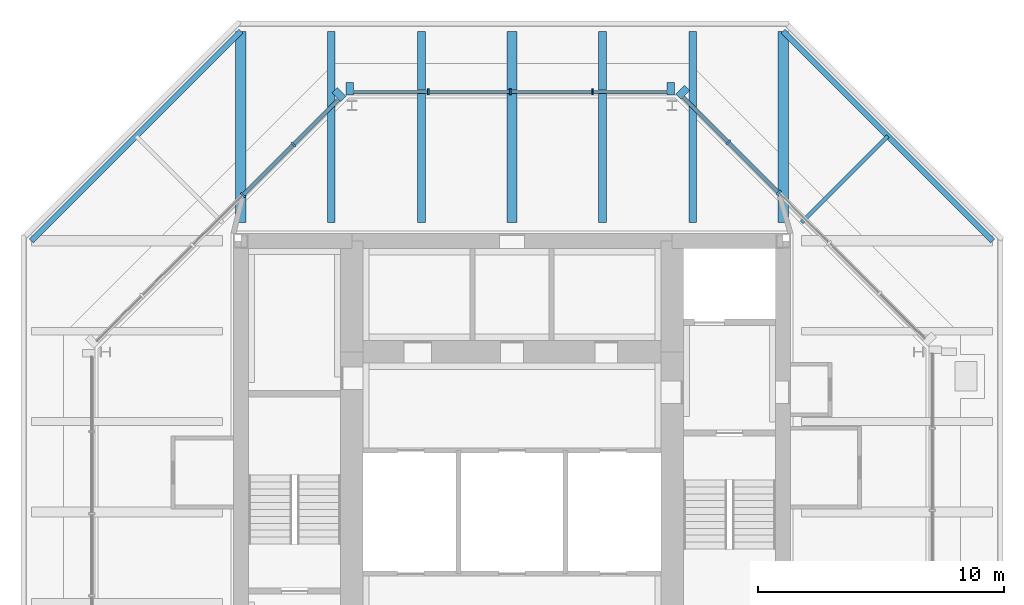
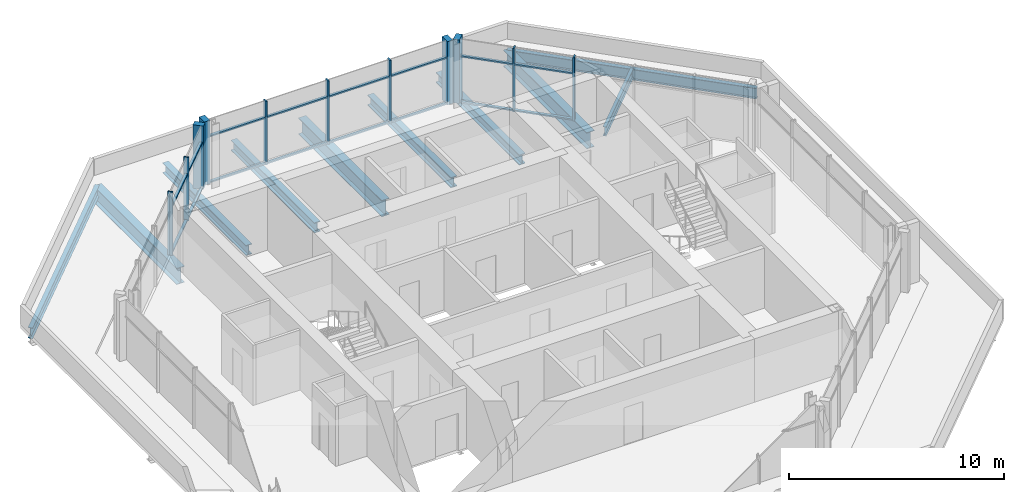
# One storey, part 5 of 10: 27 members, 10 beams, 3 elements without a shape of their own.
"""IFC4 building model written with IfcOpenShell, lengths in metres."""

from ifc_helpers import new_model, si_unit, direction, frame, origin, origin_2d, place, context, subcontext, project, spatial, rectangle, i_section, extrude, material, material_profile, profile_set, type_object, element, aggregate, save


model = new_model("IFC4")

# Units and contexts
model_context = context("Model", 3, precision=1e-05, world=origin(), true_north=direction((0.0, 1.0)))
body_context = subcontext(model_context, "Body", "Model", "MODEL_VIEW")
ifc_project = project(units=[si_unit("LENGTHUNIT", "METRE"), si_unit("AREAUNIT", "SQUARE_METRE"), si_unit("VOLUMEUNIT", "CUBIC_METRE"), si_unit("PLANEANGLEUNIT", "RADIAN"), si_unit("MASSUNIT", "GRAM", prefix="KILO")], contexts=[model_context])

# Site, building, storey
site_placement = place(None, origin())
site = spatial("IfcSite", under=ifc_project, at=site_placement, CompositionType="ELEMENT")
building_placement = place(site_placement, origin())
building = spatial("IfcBuilding", under=site, at=building_placement, Name="Trevanion Tower", CompositionType="ELEMENT")
storey_placement = place(building_placement, frame((0.0, 0.0, 263.199951171875)))
storey = spatial("IfcBuildingStorey", under=building, at=storey_placement, Name="L64", CompositionType="ELEMENT", Elevation=263.199951171875)

# Beams
ifc_material_1 = material(Name="Steel ASTM A992 Grade 50", Category="steel")
ifc_material_profile_1 = material_profile(ifc_material_1, i_section(OverallWidth=0.320068359375, OverallDepth=0.584228515625, WebThickness=0.023193359375, FlangeThickness=0.04150390625, at=origin_2d()), Name="W21X201")
ifc_profile_set_1 = profile_set([ifc_material_profile_1], Name="Steel ASTM A992 Grade 50")
beam_type_1 = type_object("IfcBeamType", Name="B13 W21X201", PredefinedType="BEAM", material=ifc_profile_set_1)
for number, where, z_axis, x_axis, name in (
    (1, (7.333251953125, 11.75, -0.48193359375), (0.0, 1.0, 0.0), (-1.0, 0.0, 0.0), "B13 L64"),
    (2, (3.666748046875, 11.75, -0.48193359375), (0.0, 1.0, 0.0), (-1.0, 0.0, 0.0), "B13 L64"),
    (3, (-3.666748046875, 11.75, -0.48193359375), (0.0, 1.0, 0.0), (-1.0, 0.0, 0.0), "B13 L64"),
    (4, (-7.333251953125, 11.75, -0.48193359375), (0.0, 1.0, 0.0), (-1.0, 0.0, 0.0), "B13 L64"),
):
    element("IfcBeam", number, at=place(storey_placement, frame(where, z_axis=z_axis, x_axis=x_axis)), inside=storey, type_object=beam_type_1, Name=name, PredefinedType="BEAM", context=body_context, shape_type="SweptSolid", body=[
        extrude(i_section(OverallWidth=0.320068359375, OverallDepth=0.584228515625, WebThickness=0.023193359375, FlangeThickness=0.04150390625, at=origin_2d()), origin(), (0.0, 0.0, 1.0), 7.75),
    ])
ifc_material_2 = material(Name="Steel ASTM A992 Grade 50", Category="steel")
ifc_material_profile_2 = material_profile(ifc_material_2, i_section(OverallWidth=0.1650390625, OverallDepth=0.52587890625, WebThickness=0.0087890625, FlangeThickness=0.011474609375, at=origin_2d()), Name="W21X44")
ifc_profile_set_2 = profile_set([ifc_material_profile_2], Name="Steel ASTM A992 Grade 50")
beam_type_2 = type_object("IfcBeamType", Name="B14 W21X44", PredefinedType="BEAM", material=ifc_profile_set_2)
beam_placement = place(storey_placement, frame((11.75, 11.75, -0.452880859375), z_axis=(0.707106781187, 0.707106781187, 0.0), x_axis=(-0.707106781187, 0.707106781187, 0.0)))
element("IfcBeam", 5, at=beam_placement, inside=storey, type_object=beam_type_2, Name="B14 L64", PredefinedType="BEAM", context=body_context, shape_type="SweptSolid", body=[
    extrude(i_section(OverallWidth=0.1650390625, OverallDepth=0.52587890625, WebThickness=0.0087890625, FlangeThickness=0.011474609375, at=origin_2d()), origin(), (0.0, 0.0, 1.0), 4.94970703125),
])

# Curtain wall, members
ifc_material_3 = material(Name="Aluminium and glass", Category="aluminium")
curtain_wall_type = type_object("IfcCurtainWallType", Name="CW4 curtain wall", PredefinedType="USERDEFINED", material=ifc_material_3)
curtain_wall_1_placement = place(storey_placement, origin())
curtain_wall_1 = element("IfcCurtainWall", 6, at=curtain_wall_1_placement, inside=storey, type_object=curtain_wall_type, Name="CW4 L64 1", ObjectType="UNITISED CURTAIN WALL", PredefinedType="USERDEFINED")
ifc_material_4 = material(Name="Aluminium extrusion, anodised bronze", Category="aluminium")
ifc_material_profile_3 = material_profile(ifc_material_4, rectangle(XDim=0.074951171875, YDim=0.25, at=origin_2d()), Name="CW4 mullion")
ifc_profile_set_3 = profile_set([ifc_material_profile_3], Name="Aluminium extrusion, anodised bronze")
member_type_1 = type_object("IfcMemberType", Name="CW4 mullion", PredefinedType="MULLION", material=ifc_profile_set_3)
member_1_placement = place(storey_placement, frame((10.81982421875, 12.9580078125, -0.18994140625), z_axis=(0.0, 0.0, 1.0), x_axis=(-0.707106781187, 0.707106781187, 0.0)))
member_1 = element("IfcMember", 7, at=member_1_placement, type_object=member_type_1, Name="CW4 mullion 4", PredefinedType="MULLION", context=body_context, shape_type="SweptSolid", body=[
    extrude(rectangle(XDim=0.074951171875, YDim=0.25, at=origin_2d()), origin(), (0.0, 0.0, 1.0), 3.60009765625),
])
member_2_placement = place(storey_placement, frame((8.77392578125, 15.00390625, -0.18994140625), z_axis=(0.0, 0.0, 1.0), x_axis=(-0.707106781187, 0.707106781187, 0.0)))
member_2 = element("IfcMember", 8, at=member_2_placement, type_object=member_type_1, Name="CW4 mullion 5", PredefinedType="MULLION", context=body_context, shape_type="SweptSolid", body=[
    extrude(rectangle(XDim=0.074951171875, YDim=0.25, at=origin_2d()), origin(), (0.0, 0.0, 1.0), 3.60009765625),
])

curtain_wall_2_placement = place(storey_placement, origin())
curtain_wall_2 = element("IfcCurtainWall", 9, at=curtain_wall_2_placement, inside=storey, type_object=curtain_wall_type, Name="CW4 L64 2", ObjectType="UNITISED CURTAIN WALL", PredefinedType="USERDEFINED")
member_3_placement = place(storey_placement, frame((3.266357421875, 17.050048828125, -0.18994140625), z_axis=(0.0, 0.0, 1.0), x_axis=(-1.0, 0.0, 0.0)))
member_3 = element("IfcMember", 10, at=member_3_placement, type_object=member_type_1, Name="CW4 mullion 2", PredefinedType="MULLION", context=body_context, shape_type="SweptSolid", body=[
    extrude(rectangle(XDim=0.074951171875, YDim=0.25, at=origin_2d()), origin(), (0.0, 0.0, 1.0), 3.60009765625),
])
member_4_placement = place(storey_placement, frame((-0.06494140625, 17.050048828125, -0.18994140625), z_axis=(0.0, 0.0, 1.0), x_axis=(-1.0, 0.0, 0.0)))
member_4 = element("IfcMember", 11, at=member_4_placement, type_object=member_type_1, Name="CW4 mullion 3", PredefinedType="MULLION", context=body_context, shape_type="SweptSolid", body=[
    extrude(rectangle(XDim=0.074951171875, YDim=0.25, at=origin_2d()), origin(), (0.0, 0.0, 1.0), 3.60009765625),
])
member_5_placement = place(storey_placement, frame((-3.396484375, 17.050048828125, -0.18994140625), z_axis=(0.0, 0.0, 1.0), x_axis=(-1.0, 0.0, 0.0)))
member_5 = element("IfcMember", 12, at=member_5_placement, type_object=member_type_1, Name="CW4 mullion 4", PredefinedType="MULLION", context=body_context, shape_type="SweptSolid", body=[
    extrude(rectangle(XDim=0.074951171875, YDim=0.25, at=origin_2d()), origin(), (0.0, 0.0, 1.0), 3.60009765625),
])

curtain_wall_3_placement = place(storey_placement, origin())
curtain_wall_3 = element("IfcCurtainWall", 13, at=curtain_wall_3_placement, inside=storey, type_object=curtain_wall_type, Name="CW4 L64 3", ObjectType="UNITISED CURTAIN WALL", PredefinedType="USERDEFINED")
member_6_placement = place(storey_placement, frame((-8.86572265625, 14.912109375, -0.18994140625), z_axis=(0.0, 0.0, 1.0), x_axis=(-0.707106781187, -0.707106781187, 0.0)))
member_6 = element("IfcMember", 14, at=member_6_placement, type_object=member_type_1, Name="CW4 mullion 2", PredefinedType="MULLION", context=body_context, shape_type="SweptSolid", body=[
    extrude(rectangle(XDim=0.074951171875, YDim=0.25, at=origin_2d()), origin(), (0.0, 0.0, 1.0), 3.60009765625),
])
member_7_placement = place(storey_placement, frame((-10.911865234375, 12.865966796875, -0.18994140625), z_axis=(0.0, 0.0, 1.0), x_axis=(-0.707106781187, -0.707106781187, 0.0)))
member_7 = element("IfcMember", 15, at=member_7_placement, type_object=member_type_1, Name="CW4 mullion 3", PredefinedType="MULLION", context=body_context, shape_type="SweptSolid", body=[
    extrude(rectangle(XDim=0.074951171875, YDim=0.25, at=origin_2d()), origin(), (0.0, 0.0, 1.0), 3.60009765625),
])

# Member
ifc_material_5 = material(Name="Aluminium extrusion, anodised bronze", Category="aluminium")
ifc_material_profile_4 = material_profile(ifc_material_5, rectangle(XDim=0.300048828125, YDim=0.5, at=origin_2d()), Name="CW4 pier mullion")
ifc_profile_set_4 = profile_set([ifc_material_profile_4], Name="Aluminium extrusion, anodised bronze")
member_type_2 = type_object("IfcMemberType", Name="CW4 pier mullion", PredefinedType="MULLION", material=ifc_profile_set_4)
member_8_placement = place(storey_placement, frame((6.92236328125, 17.0322265625, -0.18994140625), z_axis=(0.0, 0.0, 1.0), x_axis=(-0.707106781187, 0.707106781187, 0.0)))
member_8 = element("IfcMember", 16, at=member_8_placement, type_object=member_type_2, Name="CW4 pier mullion 6", PredefinedType="MULLION", context=body_context, shape_type="SweptSolid", body=[
    extrude(rectangle(XDim=0.300048828125, YDim=0.5, at=origin_2d()), origin(), (0.0, 0.0, 1.0), 3.60009765625),
])

member_9_placement = place(storey_placement, frame((6.44775390625, 17.175048828125, -0.18994140625), z_axis=(0.0, 0.0, 1.0), x_axis=(-1.0, 0.0, 0.0)))
member_9 = element("IfcMember", 17, at=member_9_placement, type_object=member_type_2, Name="CW4 pier mullion 1", PredefinedType="MULLION", context=body_context, shape_type="SweptSolid", body=[
    extrude(rectangle(XDim=0.300048828125, YDim=0.5, at=origin_2d()), origin(), (0.0, 0.0, 1.0), 3.60009765625),
])

member_10_placement = place(storey_placement, frame((-6.577880859375, 17.175048828125, -0.18994140625), z_axis=(0.0, 0.0, 1.0), x_axis=(-1.0, 0.0, 0.0)))
member_10 = element("IfcMember", 18, at=member_10_placement, type_object=member_type_2, Name="CW4 pier mullion 5", PredefinedType="MULLION", context=body_context, shape_type="SweptSolid", body=[
    extrude(rectangle(XDim=0.300048828125, YDim=0.5, at=origin_2d()), origin(), (0.0, 0.0, 1.0), 3.60009765625),
])

member_11_placement = place(storey_placement, frame((-7.01416015625, 16.9404296875, -0.18994140625), z_axis=(0.0, 0.0, 1.0), x_axis=(-0.707106781187, -0.707106781187, 0.0)))
member_11 = element("IfcMember", 19, at=member_11_placement, type_object=member_type_2, Name="CW4 pier mullion 1", PredefinedType="MULLION", context=body_context, shape_type="SweptSolid", body=[
    extrude(rectangle(XDim=0.300048828125, YDim=0.5, at=origin_2d()), origin(), (0.0, 0.0, 1.0), 3.60009765625),
])

ifc_material_6 = material(Name="Aluminium extrusion, anodised bronze", Category="aluminium")
ifc_material_profile_5 = material_profile(ifc_material_6, rectangle(XDim=0.14990234375, YDim=0.074951171875, at=origin_2d()), Name="CW4 transom")
ifc_profile_set_5 = profile_set([ifc_material_profile_5], Name="Aluminium extrusion, anodised bronze")
member_type_3 = type_object("IfcMemberType", Name="CW4 transom", PredefinedType="USERDEFINED", material=ifc_profile_set_5)
member_12_placement = place(storey_placement, frame((10.79345703125, 12.984375, -0.15234375), z_axis=(-0.707150088905, 0.707063470815, 0.0), x_axis=(-0.707063470815, -0.707150088905, 0.0)))
member_12 = element("IfcMember", 20, at=member_12_placement, type_object=member_type_3, Name="CW4 transom 4.1", ObjectType="TRANSOM", PredefinedType="USERDEFINED", context=body_context, shape_type="SweptSolid", body=[
    extrude(rectangle(XDim=0.14990234375, YDim=0.074951171875, at=origin_2d()), origin(), (0.0, 0.0, 1.0), 2.818603515625),
])

member_13_placement = place(storey_placement, frame((10.79345703125, 12.984375, 2.4599609375), z_axis=(-0.707150088905, 0.707063470815, 0.0), x_axis=(-0.707063470815, -0.707150088905, 0.0)))
member_13 = element("IfcMember", 21, at=member_13_placement, type_object=member_type_3, Name="CW4 transom 4.2", ObjectType="TRANSOM", PredefinedType="USERDEFINED", context=body_context, shape_type="SweptSolid", body=[
    extrude(rectangle(XDim=0.14990234375, YDim=0.074951171875, at=origin_2d()), origin(), (0.0, 0.0, 1.0), 2.818603515625),
])

member_14_placement = place(storey_placement, frame((8.747314453125, 15.030517578125, -0.15234375), z_axis=(-0.707106781187, 0.707106781187, 0.0), x_axis=(-0.707106781187, -0.707106781187, 0.0)))
member_14 = element("IfcMember", 22, at=member_14_placement, type_object=member_type_3, Name="CW4 transom 5.1", ObjectType="TRANSOM", PredefinedType="USERDEFINED", context=body_context, shape_type="SweptSolid", body=[
    extrude(rectangle(XDim=0.14990234375, YDim=0.074951171875, at=origin_2d()), origin(), (0.0, 0.0, 1.0), 2.555908203125),
])

member_15_placement = place(storey_placement, frame((8.747314453125, 15.030517578125, 2.4599609375), z_axis=(-0.707106781187, 0.707106781187, 0.0), x_axis=(-0.707106781187, -0.707106781187, 0.0)))
member_15 = element("IfcMember", 23, at=member_15_placement, type_object=member_type_3, Name="CW4 transom 5.2", ObjectType="TRANSOM", PredefinedType="USERDEFINED", context=body_context, shape_type="SweptSolid", body=[
    extrude(rectangle(XDim=0.14990234375, YDim=0.074951171875, at=origin_2d()), origin(), (0.0, 0.0, 1.0), 2.555908203125),
])

aggregate(curtain_wall_1, [member_1, member_2, member_8, member_12, member_13, member_14, member_15])

member_16_placement = place(storey_placement, frame((6.2978515625, 17.050048828125, -0.15234375), z_axis=(-1.0, 0.0, 0.0), x_axis=(0.0, -1.0, 0.0)))
member_16 = element("IfcMember", 24, at=member_16_placement, type_object=member_type_3, Name="CW4 transom 1.1", ObjectType="TRANSOM", PredefinedType="USERDEFINED", context=body_context, shape_type="SweptSolid", body=[
    extrude(rectangle(XDim=0.14990234375, YDim=0.074951171875, at=origin_2d()), origin(), (0.0, 0.0, 1.0), 2.993896484375),
])

member_17_placement = place(storey_placement, frame((6.2978515625, 17.050048828125, 2.4599609375), z_axis=(-1.0, 0.0, 0.0), x_axis=(0.0, -1.0, 0.0)))
member_17 = element("IfcMember", 25, at=member_17_placement, type_object=member_type_3, Name="CW4 transom 1.2", ObjectType="TRANSOM", PredefinedType="USERDEFINED", context=body_context, shape_type="SweptSolid", body=[
    extrude(rectangle(XDim=0.14990234375, YDim=0.074951171875, at=origin_2d()), origin(), (0.0, 0.0, 1.0), 2.993896484375),
])

member_18_placement = place(storey_placement, frame((3.22900390625, 17.050048828125, -0.15234375), z_axis=(-1.0, 0.0, 0.0), x_axis=(0.0, -1.0, 0.0)))
member_18 = element("IfcMember", 26, at=member_18_placement, type_object=member_type_3, Name="CW4 transom 2.1", ObjectType="TRANSOM", PredefinedType="USERDEFINED", context=body_context, shape_type="SweptSolid", body=[
    extrude(rectangle(XDim=0.14990234375, YDim=0.074951171875, at=origin_2d()), origin(), (0.0, 0.0, 1.0), 3.256591796875),
])

member_19_placement = place(storey_placement, frame((3.22900390625, 17.050048828125, 2.4599609375), z_axis=(-1.0, 0.0, 0.0), x_axis=(0.0, -1.0, 0.0)))
member_19 = element("IfcMember", 27, at=member_19_placement, type_object=member_type_3, Name="CW4 transom 2.2", ObjectType="TRANSOM", PredefinedType="USERDEFINED", context=body_context, shape_type="SweptSolid", body=[
    extrude(rectangle(XDim=0.14990234375, YDim=0.074951171875, at=origin_2d()), origin(), (0.0, 0.0, 1.0), 3.256591796875),
])

member_20_placement = place(storey_placement, frame((-0.1025390625, 17.050048828125, -0.15234375), z_axis=(-1.0, 0.0, 0.0), x_axis=(0.0, -1.0, 0.0)))
member_20 = element("IfcMember", 28, at=member_20_placement, type_object=member_type_3, Name="CW4 transom 3.1", ObjectType="TRANSOM", PredefinedType="USERDEFINED", context=body_context, shape_type="SweptSolid", body=[
    extrude(rectangle(XDim=0.14990234375, YDim=0.074951171875, at=origin_2d()), origin(), (0.0, 0.0, 1.0), 3.25634765625),
])

member_21_placement = place(storey_placement, frame((-0.1025390625, 17.050048828125, 2.4599609375), z_axis=(-1.0, 0.0, 0.0), x_axis=(0.0, -1.0, 0.0)))
member_21 = element("IfcMember", 29, at=member_21_placement, type_object=member_type_3, Name="CW4 transom 3.2", ObjectType="TRANSOM", PredefinedType="USERDEFINED", context=body_context, shape_type="SweptSolid", body=[
    extrude(rectangle(XDim=0.14990234375, YDim=0.074951171875, at=origin_2d()), origin(), (0.0, 0.0, 1.0), 3.25634765625),
])

member_22_placement = place(storey_placement, frame((-3.433837890625, 17.050048828125, -0.15234375), z_axis=(-1.0, 0.0, 0.0), x_axis=(0.0, -1.0, 0.0)))
member_22 = element("IfcMember", 30, at=member_22_placement, type_object=member_type_3, Name="CW4 transom 4.1", ObjectType="TRANSOM", PredefinedType="USERDEFINED", context=body_context, shape_type="SweptSolid", body=[
    extrude(rectangle(XDim=0.14990234375, YDim=0.074951171875, at=origin_2d()), origin(), (0.0, 0.0, 1.0), 2.993896484375),
])

member_23_placement = place(storey_placement, frame((-3.433837890625, 17.050048828125, 2.4599609375), z_axis=(-1.0, 0.0, 0.0), x_axis=(0.0, -1.0, 0.0)))
member_23 = element("IfcMember", 31, at=member_23_placement, type_object=member_type_3, Name="CW4 transom 4.2", ObjectType="TRANSOM", PredefinedType="USERDEFINED", context=body_context, shape_type="SweptSolid", body=[
    extrude(rectangle(XDim=0.14990234375, YDim=0.074951171875, at=origin_2d()), origin(), (0.0, 0.0, 1.0), 2.993896484375),
])

aggregate(curtain_wall_2, [member_9, member_3, member_4, member_5, member_10, member_16, member_17, member_18, member_19, member_20, member_21, member_22, member_23])

member_24_placement = place(storey_placement, frame((-7.031982421875, 16.745849609375, -0.15234375), z_axis=(-0.707106781187, -0.707106781187, 0.0), x_axis=(0.707106781187, -0.707106781187, 0.0)))
member_24 = element("IfcMember", 32, at=member_24_placement, type_object=member_type_3, Name="CW4 transom 1.1", ObjectType="TRANSOM", PredefinedType="USERDEFINED", context=body_context, shape_type="SweptSolid", body=[
    extrude(rectangle(XDim=0.14990234375, YDim=0.074951171875, at=origin_2d()), origin(), (0.0, 0.0, 1.0), 2.555908203125),
])

member_25_placement = place(storey_placement, frame((-7.031982421875, 16.745849609375, 2.4599609375), z_axis=(-0.707106781187, -0.707106781187, 0.0), x_axis=(0.707106781187, -0.707106781187, 0.0)))
member_25 = element("IfcMember", 33, at=member_25_placement, type_object=member_type_3, Name="CW4 transom 1.2", ObjectType="TRANSOM", PredefinedType="USERDEFINED", context=body_context, shape_type="SweptSolid", body=[
    extrude(rectangle(XDim=0.14990234375, YDim=0.074951171875, at=origin_2d()), origin(), (0.0, 0.0, 1.0), 2.555908203125),
])

member_26_placement = place(storey_placement, frame((-8.892333984375, 14.885498046875, -0.15234375), z_axis=(-0.707106781187, -0.707106781187, 0.0), x_axis=(0.707106781187, -0.707106781187, 0.0)))
member_26 = element("IfcMember", 34, at=member_26_placement, type_object=member_type_3, Name="CW4 transom 2.1", ObjectType="TRANSOM", PredefinedType="USERDEFINED", context=body_context, shape_type="SweptSolid", body=[
    extrude(rectangle(XDim=0.14990234375, YDim=0.074951171875, at=origin_2d()), origin(), (0.0, 0.0, 1.0), 2.818359375),
])

member_27_placement = place(storey_placement, frame((-8.892333984375, 14.885498046875, 2.4599609375), z_axis=(-0.707106781187, -0.707106781187, 0.0), x_axis=(0.707106781187, -0.707106781187, 0.0)))
member_27 = element("IfcMember", 35, at=member_27_placement, type_object=member_type_3, Name="CW4 transom 2.2", ObjectType="TRANSOM", PredefinedType="USERDEFINED", context=body_context, shape_type="SweptSolid", body=[
    extrude(rectangle(XDim=0.14990234375, YDim=0.074951171875, at=origin_2d()), origin(), (0.0, 0.0, 1.0), 2.818359375),
])

aggregate(curtain_wall_3, [member_11, member_6, member_7, member_24, member_25, member_26, member_27])

# Beams
ifc_material_7 = material(Name="Steel ASTM A992 Grade 50", Category="steel")
ifc_material_profile_6 = material_profile(ifc_material_7, i_section(OverallWidth=0.419189453125, OverallDepth=0.927001953125, WebThickness=0.019287109375, FlangeThickness=0.031982421875, at=origin_2d()), Name="W36X231")
ifc_profile_set_6 = profile_set([ifc_material_profile_6], Name="Steel ASTM A992 Grade 50")
beam_type_3 = type_object("IfcBeamType", Name="G7 W36X231", PredefinedType="BEAM", material=ifc_profile_set_6)
for number, where, z_axis, x_axis, name in (
    (36, (11.0, 11.75, -0.653564453125), (0.0, 1.0, 0.0), (-1.0, 0.0, 0.0), "G7 L64"),
    (37, (0.0, 11.75, -0.653564453125), (0.0, 1.0, 0.0), (-1.0, 0.0, 0.0), "G7 L64"),
    (38, (-11.0, 11.75, -0.653564453125), (0.0, 1.0, 0.0), (-1.0, 0.0, 0.0), "G7 L64"),
):
    element("IfcBeam", number, at=place(storey_placement, frame(where, z_axis=z_axis, x_axis=x_axis)), inside=storey, type_object=beam_type_3, Name=name, PredefinedType="BEAM", context=body_context, shape_type="SweptSolid", body=[
        extrude(i_section(OverallWidth=0.419189453125, OverallDepth=0.927001953125, WebThickness=0.019287109375, FlangeThickness=0.031982421875, at=origin_2d()), origin(), (0.0, 0.0, 1.0), 7.75),
    ])
ifc_material_8 = material(Name="Steel ASTM A992 Grade 50", Category="steel")
ifc_material_profile_7 = material_profile(ifc_material_8, i_section(OverallWidth=0.22900390625, OverallDepth=0.612060546875, WebThickness=0.011962890625, FlangeThickness=0.01953125, at=origin_2d()), Name="W24X84")
ifc_profile_set_7 = profile_set([ifc_material_profile_7], Name="Steel ASTM A992 Grade 50")
beam_type_4 = type_object("IfcBeamType", Name="SB11 W24X84", PredefinedType="SPANDREL", material=ifc_profile_set_7)
for number, where, z_axis, x_axis, name in (
    (39, (19.5, 11.0, -0.49609375), (-0.707106781187, 0.707106781187, 0.0), (-0.707106781187, -0.707106781187, 0.0), "SB11 L64"),
    (40, (-11.0, 19.5, -0.49609375), (-0.707106781187, -0.707106781187, 0.0), (0.707106781187, -0.707106781187, 0.0), "SB11 L64"),
):
    element("IfcBeam", number, at=place(storey_placement, frame(where, z_axis=z_axis, x_axis=x_axis)), inside=storey, type_object=beam_type_4, Name=name, PredefinedType="SPANDREL", context=body_context, shape_type="SweptSolid", body=[
        extrude(i_section(OverallWidth=0.22900390625, OverallDepth=0.612060546875, WebThickness=0.011962890625, FlangeThickness=0.01953125, at=origin_2d()), origin(), (0.0, 0.0, 1.0), 12.020751953125),
    ])

save(model, "model.ifc")
